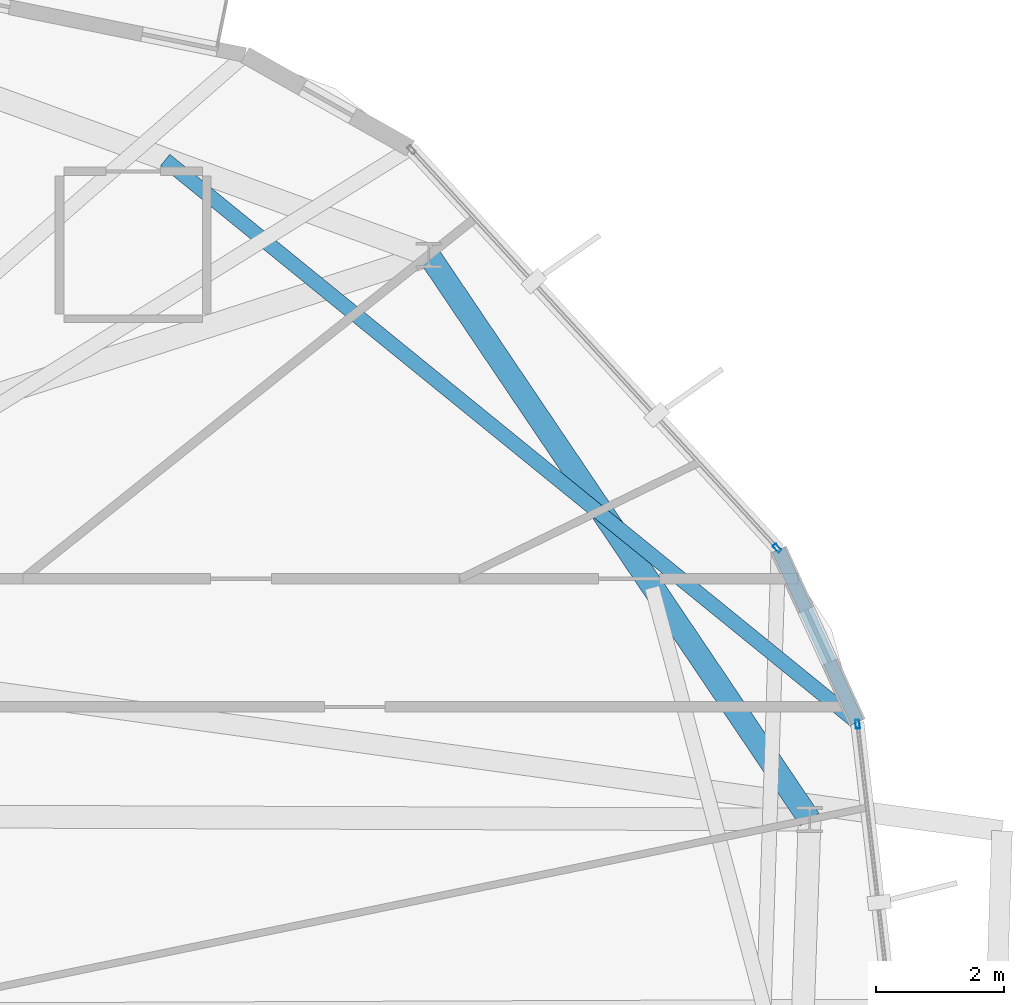
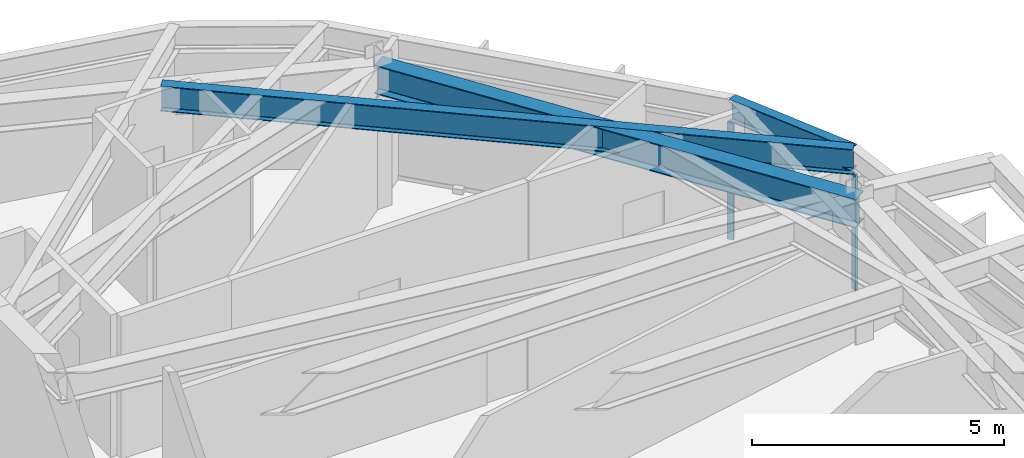
# One storey, part 12 of 23: 3 beams, 2 members, 2 elements without a shape of their own.
"""IFC4 building model written with IfcOpenShell, lengths in metres."""

from ifc_helpers import new_model, si_unit, direction, frame, origin, origin_2d, place, context, subcontext, project, spatial, hollow_rectangle, i_section, extrude, material, layer, layer_set, material_profile, profile_set, type_object, element, aggregate, save


model = new_model("IFC4")

# Units and contexts
model_context = context("Model", 3, precision=1e-05, world=origin(), true_north=direction((0.0, 1.0)))
body_context = subcontext(model_context, "Body", "Model", "MODEL_VIEW")
ifc_project = project(units=[si_unit("LENGTHUNIT", "METRE"), si_unit("AREAUNIT", "SQUARE_METRE"), si_unit("VOLUMEUNIT", "CUBIC_METRE"), si_unit("PLANEANGLEUNIT", "RADIAN"), si_unit("MASSUNIT", "GRAM", prefix="KILO")], contexts=[model_context])

# Site, building, storey
site_placement = place(None, origin())
site = spatial("IfcSite", under=ifc_project, at=site_placement, CompositionType="ELEMENT")
building_placement = place(site_placement, origin())
building = spatial("IfcBuilding", under=site, at=building_placement, Name="Soratama Intermodal Tower", CompositionType="ELEMENT")
storey_placement = place(building_placement, frame((0.0, 0.0, 261.25)))
storey = spatial("IfcBuildingStorey", under=building, at=storey_placement, Name="L66", CompositionType="ELEMENT", Elevation=261.25)

# Beams
ifc_material_1 = material(Name="Structural steel ASTM A992 Grade 50", Category="steel")
ifc_material_profile_1 = material_profile(ifc_material_1, i_section(OverallWidth=0.35498046875, OverallDepth=0.695068359375, WebThickness=0.015380859375, FlangeThickness=0.02490234375, FilletRadius=0.01611328125, at=origin_2d()), Name="W27X146")
ifc_profile_set_1 = profile_set([ifc_material_profile_1], Name="Structural steel ASTM A992 Grade 50")
beam_type_1 = type_object("IfcBeamType", Name="BM-RING-W27X146", PredefinedType="BEAM", material=ifc_profile_set_1)
beam_1_placement = place(storey_placement, frame((61.533935546875, 29.740966796875, 3.1025390625), z_axis=(-0.559218025165, 0.829020627204, 0.0), x_axis=(-0.829020627204, -0.559218025165, 0.0)))
element("IfcBeam", 1, at=beam_1_placement, inside=storey, type_object=beam_type_1, Name="BM-L66-RING-01", PredefinedType="BEAM", context=body_context, shape_type="SweptSolid", body=[
    extrude(i_section(OverallWidth=0.35498046875, OverallDepth=0.695068359375, WebThickness=0.015380859375, FlangeThickness=0.02490234375, FilletRadius=0.01611328125, at=origin_2d()), origin(), (0.0, 0.0, 1.0), 10.630615234375),
])
ifc_material_2 = material(Name="Structural steel ASTM A992 Grade 50", Category="steel")
ifc_material_profile_2 = material_profile(ifc_material_2, i_section(OverallWidth=0.2099609375, OverallDepth=0.537109375, WebThickness=0.010986328125, FlangeThickness=0.017333984375, FilletRadius=0.012939453125, at=origin_2d()), Name="W21X68")
ifc_profile_set_2 = profile_set([ifc_material_profile_2], Name="Structural steel ASTM A992 Grade 50")
beam_type_2 = type_object("IfcBeamType", Name="BM-SPN-W21X68", PredefinedType="SPANDREL", material=ifc_profile_set_2)
beam_2_placement = place(storey_placement, frame((62.279052734375, 31.259033203125, 3.181396484375), z_axis=(-0.415358985559, 0.909657580145, 0.0), x_axis=(-0.909657580145, -0.415358985559, 0.0)))
element("IfcBeam", 2, at=beam_2_placement, inside=storey, type_object=beam_type_2, Name="BS-L66-CRN09", PredefinedType="SPANDREL", context=body_context, shape_type="SweptSolid", body=[
    extrude(i_section(OverallWidth=0.2099609375, OverallDepth=0.537109375, WebThickness=0.010986328125, FlangeThickness=0.017333984375, FilletRadius=0.012939453125, at=origin_2d()), origin(), (0.0, 0.0, 1.0), 2.966064453125),
])
ifc_material_3 = material(Name="Structural steel ASTM A992 Grade 50", Category="steel")
ifc_material_profile_3 = material_profile(ifc_material_3, i_section(OverallWidth=0.22900390625, OverallDepth=0.612060546875, WebThickness=0.011962890625, FlangeThickness=0.01953125, FilletRadius=0.012939453125, at=origin_2d()), Name="W24X84")
ifc_profile_set_3 = profile_set([ifc_material_profile_3], Name="Structural steel ASTM A992 Grade 50")
beam_type_3 = type_object("IfcBeamType", Name="BM-TIE-W24X84", PredefinedType="BEAM", material=ifc_profile_set_3)
beam_3_placement = place(storey_placement, frame((51.471923828125, 40.0390625, 3.14404296875), z_axis=(0.776140815456, -0.630559620165, 0.0), x_axis=(0.630559620165, 0.776140815456, 0.0)))
element("IfcBeam", 3, at=beam_3_placement, inside=storey, type_object=beam_type_3, Name="BM-L66-TIE1-09", PredefinedType="BEAM", context=body_context, shape_type="SweptSolid", body=[
    extrude(i_section(OverallWidth=0.22900390625, OverallDepth=0.612060546875, WebThickness=0.011962890625, FlangeThickness=0.01953125, FilletRadius=0.012939453125, at=origin_2d()), origin(), (0.0, 0.0, 1.0), 13.924072265625),
])

# Curtain wall, member
ifc_material_4 = material(Name="Double-glazed aluminium curtain wall", Category="aluminium")
ifc_layer = layer(ifc_material_4, 0.159912109375)
ifc_layer_set = layer_set([ifc_layer], Name="Double-glazed aluminium curtain wall")
curtain_wall_type = type_object("IfcCurtainWallType", Name="CW-SYS-5", PredefinedType="NOTDEFINED", material=ifc_layer_set)
curtain_wall_1_placement = place(storey_placement, origin())
curtain_wall_1 = element("IfcCurtainWall", 4, at=curtain_wall_1_placement, inside=storey, type_object=curtain_wall_type, Name="L66 Faceted Curtain Wall F09", PredefinedType="NOTDEFINED")
ifc_material_5 = material(Name="Anodised aluminium AA 6063-T6", Category="aluminium")
ifc_material_profile_4 = material_profile(ifc_material_5, hollow_rectangle(XDim=0.06494140625, YDim=0.139892578125, WallThickness=0.0048828125, InnerFilletRadius=0.0048828125, OuterFilletRadius=0.010009765625, at=origin_2d()), Name="CWM140X65X5")
ifc_profile_set_4 = profile_set([ifc_material_profile_4], Name="Anodised aluminium AA 6063-T6")
member_type = type_object("IfcMemberType", Name="MT-CWM-5", PredefinedType="MULLION", material=ifc_profile_set_4)
member_1_placement = place(storey_placement, frame((62.282958984375, 31.22900390625, 0.0), z_axis=(0.0, 0.0, 1.0), x_axis=(-0.993492604414, -0.113896641634, 0.0)))
member_1 = element("IfcMember", 5, at=member_1_placement, type_object=member_type, Name="CW-5 mullion 2", PredefinedType="MULLION", context=body_context, shape_type="SweptSolid", body=[
    extrude(hollow_rectangle(XDim=0.06494140625, YDim=0.139892578125, WallThickness=0.0048828125, InnerFilletRadius=0.0048828125, OuterFilletRadius=0.010009765625, at=origin_2d()), origin(), (0.0, 0.0, 1.0), 2.8291015625),
])
aggregate(curtain_wall_1, [member_1])

curtain_wall_2_placement = place(storey_placement, origin())
curtain_wall_2 = element("IfcCurtainWall", 6, at=curtain_wall_2_placement, inside=storey, type_object=curtain_wall_type, Name="L66 Faceted Curtain Wall F10", PredefinedType="NOTDEFINED")
member_2_placement = place(storey_placement, frame((61.027099609375, 33.9794921875, 0.0), z_axis=(0.0, 0.0, 1.0), x_axis=(-0.736802912702, -0.676107585991, 0.0)))
member_2 = element("IfcMember", 7, at=member_2_placement, type_object=member_type, Name="CW-5 mullion 1", PredefinedType="MULLION", context=body_context, shape_type="SweptSolid", body=[
    extrude(hollow_rectangle(XDim=0.06494140625, YDim=0.139892578125, WallThickness=0.0048828125, InnerFilletRadius=0.0048828125, OuterFilletRadius=0.010009765625, at=origin_2d()), origin(), (0.0, 0.0, 1.0), 2.8291015625),
])
aggregate(curtain_wall_2, [member_2])

save(model, "model.ifc")
